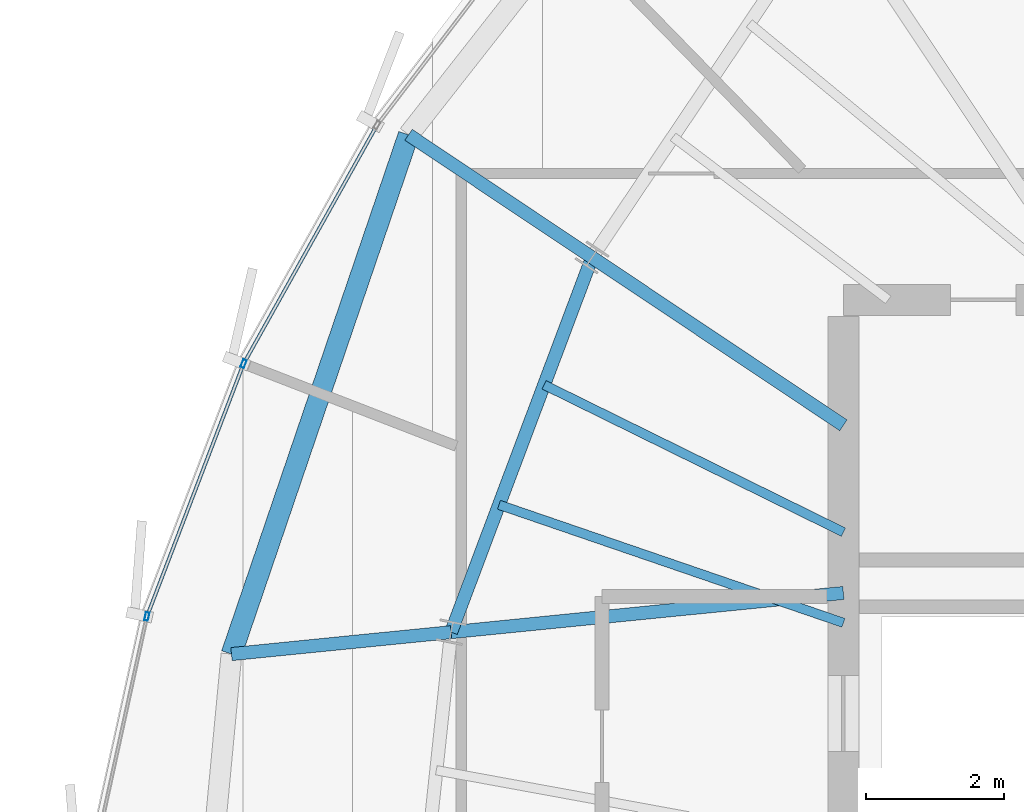
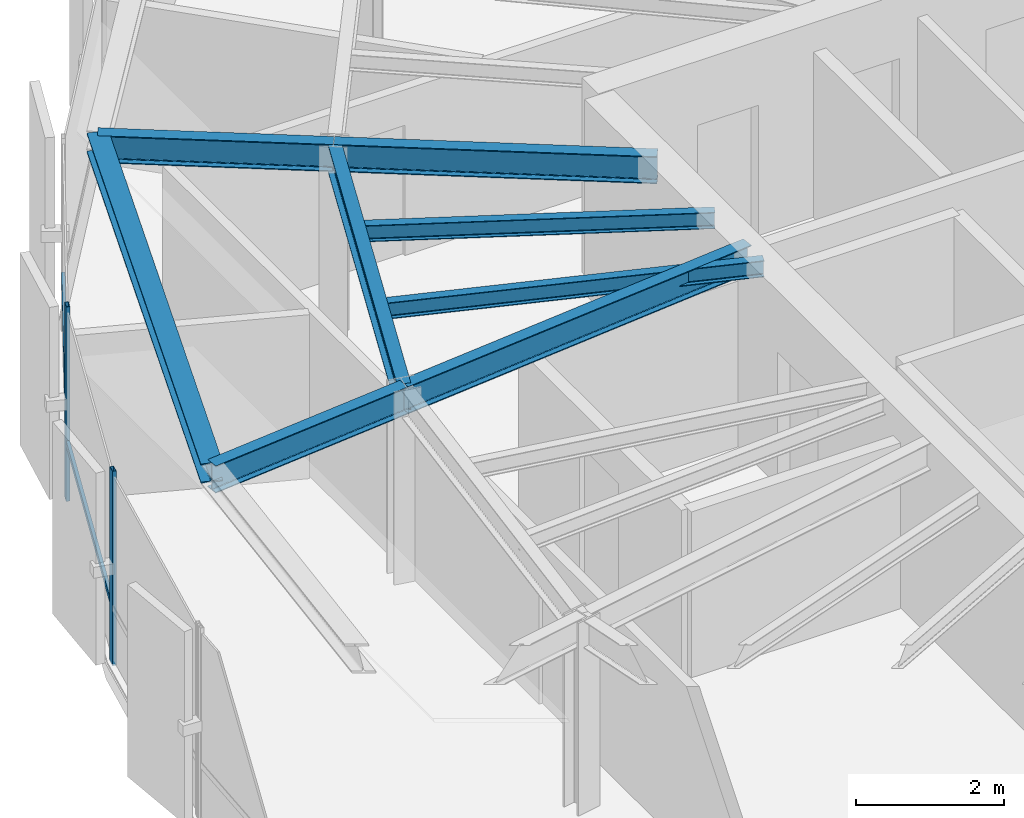
# One storey, part 11 of 34: 8 beams, 4 members, 1 element without a shape of its own.
"""IFC4 building model written with IfcOpenShell, lengths in metres."""

import ifcopenshell
import ifcopenshell.guid

model = None  # the IFC model being written
_history = None  # IfcOwnerHistory: only IFC2X3 demands one
_inside = {}  # id of a spatial element -> (the spatial element, [elements in it])
_under = {}  # id of a project, library or spatial element -> (it, [spatial elements below it])
_declared = {}  # id of a project -> (the project, [libraries it declares])
_typed = {}  # id of a type object -> (the type object, [elements of that type])
_made_of = {}  # id of a material, layer set ... -> (it, [elements and type objects made of it])


def new_model(schema):
    """Start an empty IFC model of exactly this schema.

    Asked for "IFC4X3", IfcOpenShell would pick the latest addendum, in which some entities
    have other attributes; the version numbers below select the first issue.
    IFC2X3 requires an IfcOwnerHistory on every rooted entity: one is made here for all.
    """
    global model, _history
    if schema == "IFC4X3":
        model = ifcopenshell.file(schema_version=(4, 3, 0, 0))
    else:
        model = ifcopenshell.file(schema=schema)
    _inside.clear()
    _under.clear()
    _declared.clear()
    _typed.clear()
    _made_of.clear()
    _history = None
    if model.schema == "IFC2X3":
        org = make("IfcOrganization", Name="unknown")
        user = make(
            "IfcPersonAndOrganization",
            ThePerson=make("IfcPerson", FamilyName="unknown"),
            TheOrganization=org,
        )
        app = make(
            "IfcApplication",
            ApplicationDeveloper=org,
            Version="unknown",
            ApplicationFullName="unknown",
            ApplicationIdentifier="unknown",
        )
        _history = make(
            "IfcOwnerHistory",
            OwningUser=user,
            OwningApplication=app,
            ChangeAction="ADDED",
            CreationDate=0,
        )
    return model


def make(cls, **values):
    """One entity of the class cls with the attributes given. An attribute that is None is left unset."""
    return model.create_entity(
        cls, **{name: value for name, value in values.items() if value is not None}
    )


def rooted(cls, **values):
    """An entity with a GlobalId (a new one), such as an element, a storey or a relation."""
    return make(cls, GlobalId=ifcopenshell.guid.new(), OwnerHistory=_history, **values)


def si_unit(unit_type, name, prefix=None):
    """IfcSIUnit, for example si_unit("LENGTHUNIT", "METRE", prefix="MILLI")."""
    return make("IfcSIUnit", UnitType=unit_type, Prefix=prefix, Name=name)


def assignment(units):
    """IfcUnitAssignment: the units of a project."""
    return None if units is None else make("IfcUnitAssignment", Units=units)


def point(xyz):
    """IfcCartesianPoint."""
    return None if xyz is None else make("IfcCartesianPoint", Coordinates=xyz)


def direction(xyz):
    """IfcDirection."""
    return None if xyz is None else make("IfcDirection", DirectionRatios=xyz)


def frame(location, z_axis=None, x_axis=None):
    """IfcAxis2Placement3D, a coordinate frame: its origin and axes. An axis left out is left unset."""
    return make(
        "IfcAxis2Placement3D",
        Location=point(location),
        Axis=direction(z_axis),
        RefDirection=direction(x_axis),
    )


def frame_2d(location, x_axis=None):
    """IfcAxis2Placement2D, a coordinate frame in the plane: its origin and x axis."""
    return make(
        "IfcAxis2Placement2D", Location=point(location), RefDirection=direction(x_axis)
    )


def origin():
    """The frame at (0, 0, 0) with its axes left unset."""
    return frame((0.0, 0.0, 0.0))


def origin_2d():
    """The frame at (0, 0) in the plane with its x axis left unset."""
    return frame_2d((0.0, 0.0))


def place(relative_to, where):
    """IfcLocalPlacement: puts the frame where relative to a parent placement (None: the world)."""
    return make(
        "IfcLocalPlacement", PlacementRelTo=relative_to, RelativePlacement=where
    )


def context(
    kind, dimensions, precision=None, world=None, true_north=None, identifier=None
):
    """IfcGeometricRepresentationContext, for example the 3D "Model" context."""
    return make(
        "IfcGeometricRepresentationContext",
        ContextIdentifier=identifier,
        ContextType=kind,
        CoordinateSpaceDimension=dimensions,
        Precision=precision,
        WorldCoordinateSystem=world,
        TrueNorth=true_north,
    )


def subcontext(parent, identifier, kind, view, scale=None):
    """IfcGeometricRepresentationSubContext, for example "Body" below "Model"."""
    return make(
        "IfcGeometricRepresentationSubContext",
        ContextIdentifier=identifier,
        ContextType=kind,
        ParentContext=parent,
        TargetScale=scale,
        TargetView=view,
    )


def project(units=None, contexts=None):
    """IfcProject with its units and contexts."""
    return rooted(
        "IfcProject",
        Name="project",
        RepresentationContexts=contexts,
        UnitsInContext=assignment(units),
    )


def spatial(cls, under=None, at=None, **own):
    """A site, building, storey or space (cls), placed at a placement, below another one or the project."""
    s = rooted(cls, ObjectPlacement=at, **own)
    if under is not None:
        _under.setdefault(under.id(), (under, []))[1].append(s)
    return s


def profile(cls, at=None, kind="AREA", **sizes):
    """A parametric profile (cls). Its sizes go by their IFC names, for example OverallWidth=200.0."""
    return make(cls, ProfileType=kind, Position=at, **sizes)


def hollow_rectangle(**sizes):
    """IfcRectangleHollowProfileDef."""
    return profile("IfcRectangleHollowProfileDef", **sizes)


def i_section(**sizes):
    """IfcIShapeProfileDef."""
    return profile("IfcIShapeProfileDef", **sizes)


def extrude(swept, where, along, depth):
    """IfcExtrudedAreaSolid: the profile swept, set in the frame where, extruded along a direction by depth."""
    return make(
        "IfcExtrudedAreaSolid",
        SweptArea=swept,
        Position=where,
        ExtrudedDirection=direction(along),
        Depth=depth,
    )


def shape(context_of_items, identifier, shape_type, items):
    """IfcShapeRepresentation: the items that make up one representation, for example the "Body"."""
    return make(
        "IfcShapeRepresentation",
        ContextOfItems=context_of_items,
        RepresentationIdentifier=identifier,
        RepresentationType=shape_type,
        Items=items,
    )


def source(mapping_origin, context_of_items, identifier, shape_type, items):
    """IfcRepresentationMap: a shape defined once, which mapped items show again and again."""
    return make(
        "IfcRepresentationMap",
        MappingOrigin=mapping_origin,
        MappedRepresentation=shape(context_of_items, identifier, shape_type, items),
    )


def transform(
    local_origin,
    x_axis=None,
    y_axis=None,
    z_axis=None,
    scale=None,
    scale2=None,
    scale3=None,
    uniform=True,
):
    """IfcCartesianTransformationOperator3D, or its non-uniform kind. x_axis, y_axis, z_axis: its Axis1, 2, 3."""
    if uniform:
        return make(
            "IfcCartesianTransformationOperator3D",
            Axis1=direction(x_axis),
            Axis2=direction(y_axis),
            LocalOrigin=point(local_origin),
            Scale=scale,
            Axis3=direction(z_axis),
        )
    return make(
        "IfcCartesianTransformationOperator3DnonUniform",
        Axis1=direction(x_axis),
        Axis2=direction(y_axis),
        LocalOrigin=point(local_origin),
        Scale=scale,
        Axis3=direction(z_axis),
        Scale2=scale2,
        Scale3=scale3,
    )


def mapped(mapping_source, mapping_target):
    """IfcMappedItem: shows the shape of a source again, moved by a transform."""
    return make(
        "IfcMappedItem", MappingSource=mapping_source, MappingTarget=mapping_target
    )


def material(Name=None, Category=None):
    """IfcMaterial."""
    return make("IfcMaterial", Name=Name, Category=Category)


def layer(
    of_material, thickness, ventilated=None, Name=None, Category=None, Priority=None
):
    """IfcMaterialLayer: one layer of a wall or slab, of a material (None: an air gap)."""
    return make(
        "IfcMaterialLayer",
        Material=of_material,
        LayerThickness=thickness,
        IsVentilated=ventilated,
        Name=Name,
        Category=Category,
        Priority=Priority,
    )


def layer_set(layers, Name=None):
    """IfcMaterialLayerSet."""
    return make("IfcMaterialLayerSet", MaterialLayers=layers, LayerSetName=Name)


def material_profile(
    of_material, cross_section, Name=None, Category=None, Priority=None
):
    """IfcMaterialProfile: a cross section and its material."""
    return make(
        "IfcMaterialProfile",
        Name=Name,
        Material=of_material,
        Profile=cross_section,
        Priority=Priority,
        Category=Category,
    )


def profile_set(profiles, Name=None, composite=None):
    """IfcMaterialProfileSet."""
    return make(
        "IfcMaterialProfileSet",
        Name=Name,
        MaterialProfiles=profiles,
        CompositeProfile=composite,
    )


def made_of(thing, what):
    """Note that an element or type object is made of a material, layer set ...; save() writes the relation."""
    if what is not None:
        _made_of.setdefault(what.id(), (what, []))[1].append(thing)
    return thing


def type_object(cls, material=None, **own):
    """A type object (cls), such as IfcWallType, which elements share."""
    return made_of(rooted(cls, **own), material)


def element(
    cls,
    number,
    at=None,
    inside=None,
    cuts=None,
    type_object=None,
    material=None,
    context=None,
    identifier="Body",
    shape_type=None,
    held_by="IfcProductDefinitionShape",
    body=None,
    shapes=None,
    **own,
):
    """One element of the class cls, such as IfcWall. Its Tag is "e" and its number.

    at: its placement. inside: the storey or other place that contains it. cuts: it is an
    opening in that element (IfcRelVoidsElement). A single representation is given by context,
    identifier, shape_type and body (its items); several are given by shapes. held_by: the class
    of the entity that holds the representations. save() writes the other relations.
    """
    e = rooted(cls, Tag="e%d" % number, ObjectPlacement=at, **own)
    if body is not None:
        shapes = [shape(context, identifier, shape_type, body)]
    if shapes is not None:
        e.Representation = make(held_by, Representations=shapes)
    if inside is not None:
        _inside.setdefault(inside.id(), (inside, []))[1].append(e)
    if cuts is not None:
        rooted(
            "IfcRelVoidsElement", RelatingBuildingElement=cuts, RelatedOpeningElement=e
        )
    if type_object is not None:
        _typed.setdefault(type_object.id(), (type_object, []))[1].append(e)
    return made_of(e, material)


def aggregate(whole, parts):
    """IfcRelAggregates: a whole, such as a stair, and the parts it consists of."""
    return rooted("IfcRelAggregates", RelatingObject=whole, RelatedObjects=parts)


def save(model, path):
    """Write the relations noted so far, then the file.

    IfcRelAggregates (storeys below a building ...), IfcRelContainedInSpatialStructure (elements
    in a storey), IfcRelDefinesByType, IfcRelAssociatesMaterial and IfcRelDeclares: one each for
    every whole, place, type object, material and project.
    """
    for whole, parts in _under.values():
        aggregate(whole, parts)
    for where, things in _inside.values():
        rooted(
            "IfcRelContainedInSpatialStructure",
            RelatedElements=things,
            RelatingStructure=where,
        )
    for kind, things in _typed.values():
        rooted("IfcRelDefinesByType", RelatedObjects=things, RelatingType=kind)
    for what, things in _made_of.values():
        rooted("IfcRelAssociatesMaterial", RelatedObjects=things, RelatingMaterial=what)
    for by, libraries in _declared.values():
        rooted("IfcRelDeclares", RelatingContext=by, RelatedDefinitions=libraries)
    model.write(path)


model = new_model("IFC4")

# Units and contexts
model_context = context("Model", 3, precision=1e-05, world=origin(), true_north=direction((0.0, 1.0)))
body_context = subcontext(model_context, "Body", "Model", "MODEL_VIEW")
ifc_project = project(units=[si_unit("LENGTHUNIT", "METRE"), si_unit("AREAUNIT", "SQUARE_METRE"), si_unit("VOLUMEUNIT", "CUBIC_METRE"), si_unit("PLANEANGLEUNIT", "RADIAN"), si_unit("MASSUNIT", "GRAM", prefix="KILO"), si_unit("THERMODYNAMICTEMPERATUREUNIT", "KELVIN")], contexts=[model_context])

# Site, building, storey
site_placement = place(None, origin())
site = spatial("IfcSite", under=ifc_project, at=site_placement, CompositionType="ELEMENT")
building_placement = place(site_placement, origin())
building = spatial("IfcBuilding", under=site, at=building_placement, Name="Kethvar Cultural Tower", CompositionType="ELEMENT")
storey_placement = place(building_placement, frame((0.0, 0.0, 262.89990234375)))
storey = spatial("IfcBuildingStorey", under=building, at=storey_placement, Name="L69", CompositionType="ELEMENT", Elevation=262.89990234375)

# Beams
ifc_material_1 = material(Name="Steel S355J2", Category="steel")
ifc_material_profile_1 = material_profile(ifc_material_1, i_section(OverallWidth=0.18994140625, OverallDepth=0.449951171875, WebThickness=0.009521484375, FlangeThickness=0.0146484375, FilletRadius=0.02099609375, at=origin_2d()), Name="Steel S355J2 — IPE450")
ifc_profile_set_1 = profile_set([ifc_material_profile_1], Name="Steel S355J2 — IPE450")
beam_type_1 = type_object("IfcBeamType", Name="BM-IPE450", PredefinedType="BEAM", material=ifc_profile_set_1)
shared_shape_1 = source(origin(), body_context, "Body", "SweptSolid", [
    extrude(i_section(OverallWidth=0.18994140625, OverallDepth=0.449951171875, WebThickness=0.009521484375, FlangeThickness=0.0146484375, FilletRadius=0.02099609375, at=origin_2d()), origin(), (0.0, 0.0, 1.0), 3.2001953125),
])
beam_1_placement = place(storey_placement, frame((32.3125, 30.681884765625, 2.983154296875), z_axis=(-0.995047004836, -0.099405523829, 0.0), x_axis=(0.099405523829, -0.995047004836, 0.0)))
element("IfcBeam", 1, at=beam_1_placement, inside=storey, type_object=beam_type_1, Name="L69 Perimeter Cantilever Beam RC-08", PredefinedType="BEAM", context=body_context, shape_type="MappedRepresentation", body=[
    mapped(shared_shape_1, transform((0.0, 0.0, 0.0), scale=1.0)),
])
shared_shape_2 = source(origin(), body_context, "Body", "SweptSolid", [
    extrude(i_section(OverallWidth=0.18994140625, OverallDepth=0.449951171875, WebThickness=0.009521484375, FlangeThickness=0.0146484375, FilletRadius=0.02099609375, at=origin_2d()), origin(), (0.0, 0.0, 1.0), 4.3828125),
])
beam_2_placement = place(storey_placement, frame((38.0, 33.679931640625, 2.983154296875), z_axis=(-0.831449909861, 0.555599718676, 0.0), x_axis=(-0.555599718676, -0.831449909861, 0.0)))
element("IfcBeam", 2, at=beam_2_placement, inside=storey, type_object=beam_type_1, Name="L69 Primary Radial Beam RB-07", PredefinedType="BEAM", context=body_context, shape_type="MappedRepresentation", body=[
    mapped(shared_shape_2, transform((0.0, 0.0, 0.0), scale=1.0)),
])
shared_shape_3 = source(origin(), body_context, "Body", "SweptSolid", [
    extrude(i_section(OverallWidth=0.18994140625, OverallDepth=0.449951171875, WebThickness=0.009521484375, FlangeThickness=0.0146484375, FilletRadius=0.02099609375, at=origin_2d()), origin(), (0.0, 0.0, 1.0), 3.19970703125),
])
beam_3_placement = place(storey_placement, frame((34.35595703125, 36.114990234375, 2.983154296875), z_axis=(-0.831498187863, 0.55552746429, 0.0), x_axis=(-0.55552746429, -0.831498187863, 0.0)))
element("IfcBeam", 3, at=beam_3_placement, inside=storey, type_object=beam_type_1, Name="L69 Perimeter Cantilever Beam RC-07", PredefinedType="BEAM", context=body_context, shape_type="MappedRepresentation", body=[
    mapped(shared_shape_3, transform((0.0, 0.0, 0.0), scale=1.0)),
])
shared_shape_4 = source(origin(), body_context, "Body", "SweptSolid", [
    extrude(i_section(OverallWidth=0.18994140625, OverallDepth=0.449951171875, WebThickness=0.009521484375, FlangeThickness=0.0146484375, FilletRadius=0.02099609375, at=origin_2d()), origin(), (0.0, 0.0, 1.0), 5.7158203125),
])
beam_4_placement = place(storey_placement, frame((38.0, 31.25, 2.983154296875), z_axis=(-0.995048179628, -0.099393763478, 0.0), x_axis=(0.099393763478, -0.995048179628, 0.0)))
element("IfcBeam", 4, at=beam_4_placement, inside=storey, type_object=beam_type_1, Name="L69 Primary Radial Beam RB-08", PredefinedType="BEAM", context=body_context, shape_type="MappedRepresentation", body=[
    mapped(shared_shape_4, transform((0.0, 0.0, 0.0), scale=1.0)),
])
shared_shape_5 = source(origin(), body_context, "Body", "SweptSolid", [
    extrude(i_section(OverallWidth=0.18994140625, OverallDepth=0.449951171875, WebThickness=0.009521484375, FlangeThickness=0.0146484375, FilletRadius=0.02099609375, at=origin_2d()), origin(), (0.0, 0.0, 1.0), 5.8046875),
])
beam_5_placement = place(storey_placement, frame((34.35595703125, 36.114990234375, 2.983154296875), z_axis=(-0.352035902861, -0.935986497283, 0.0), x_axis=(0.935986497283, -0.352035902861, 0.0)))
element("IfcBeam", 5, at=beam_5_placement, inside=storey, type_object=beam_type_1, Name="L69 Column Ring Tie Beam CR-07", PredefinedType="BEAM", context=body_context, shape_type="MappedRepresentation", body=[
    mapped(shared_shape_5, transform((0.0, 0.0, 0.0), scale=1.0)),
])
ifc_material_profile_2 = material_profile(ifc_material_1, i_section(OverallWidth=0.300048828125, OverallDepth=0.320068359375, WebThickness=0.011474609375, FlangeThickness=0.0205078125, FilletRadius=0.027099609375, at=origin_2d()), Name="Steel S355J2 — HEB320")
ifc_profile_set_2 = profile_set([ifc_material_profile_2], Name="Steel S355J2 — HEB320")
beam_type_2 = type_object("IfcBeamType", Name="BM-SP320", PredefinedType="SPANDREL", material=ifc_profile_set_2)
shared_shape_6 = source(origin(), body_context, "Body", "SweptSolid", [
    extrude(i_section(OverallWidth=0.300048828125, OverallDepth=0.320068359375, WebThickness=0.011474609375, FlangeThickness=0.0205078125, FilletRadius=0.027099609375, at=origin_2d()), origin(), (0.0, 0.0, 1.0), 7.954345703125),
])
beam_6_placement = place(storey_placement, frame((31.6953125, 37.892578125, 3.048095703125), z_axis=(-0.322730170507, -0.946491012659, 0.0), x_axis=(0.946491012659, -0.322730170507, 0.0)))
element("IfcBeam", 6, at=beam_6_placement, inside=storey, type_object=beam_type_2, Name="L69 Perimeter Spandrel Beam SP-07", PredefinedType="SPANDREL", context=body_context, shape_type="MappedRepresentation", body=[
    mapped(shared_shape_6, transform((0.0, 0.0, 0.0), scale=1.0)),
])
ifc_material_profile_3 = material_profile(ifc_material_1, i_section(OverallWidth=0.135009765625, OverallDepth=0.27001953125, WebThickness=0.006591796875, FlangeThickness=0.01025390625, FilletRadius=0.014892578125, at=origin_2d()), Name="Steel S355J2 — IPE270")
ifc_profile_set_3 = profile_set([ifc_material_profile_3], Name="Steel S355J2 — IPE270")
beam_type_3 = type_object("IfcBeamType", Name="BM-J270", PredefinedType="JOIST", material=ifc_profile_set_3)
shared_shape_7 = source(origin(), body_context, "Body", "SweptSolid", [
    extrude(i_section(OverallWidth=0.135009765625, OverallDepth=0.27001953125, WebThickness=0.006591796875, FlangeThickness=0.01025390625, FilletRadius=0.014892578125, at=origin_2d()), origin(), (0.0, 0.0, 1.0), 4.8359375),
])
beam_7_placement = place(storey_placement, frame((38.0, 32.1318359375, 3.072998046875), z_axis=(-0.897196527088, 0.441631511308, 0.0), x_axis=(-0.441631511308, -0.897196527088, 0.0)))
element("IfcBeam", 7, at=beam_7_placement, inside=storey, type_object=beam_type_3, Name="L69 Composite Floor Joist J-07A", PredefinedType="JOIST", context=body_context, shape_type="MappedRepresentation", body=[
    mapped(shared_shape_7, transform((0.0, 0.0, 0.0), scale=1.0)),
])
shared_shape_8 = source(origin(), body_context, "Body", "SweptSolid", [
    extrude(i_section(OverallWidth=0.135009765625, OverallDepth=0.27001953125, WebThickness=0.006591796875, FlangeThickness=0.01025390625, FilletRadius=0.014892578125, at=origin_2d()), origin(), (0.0, 0.0, 1.0), 5.2783203125),
])
beam_8_placement = place(storey_placement, frame((38.0, 30.817138671875, 3.072998046875), z_axis=(-0.945942702368, 0.324333784607, 0.0), x_axis=(-0.324333784607, -0.945942702368, 0.0)))
element("IfcBeam", 8, at=beam_8_placement, inside=storey, type_object=beam_type_3, Name="L69 Composite Floor Joist J-07B", PredefinedType="JOIST", context=body_context, shape_type="MappedRepresentation", body=[
    mapped(shared_shape_8, transform((0.0, 0.0, 0.0), scale=1.0)),
])

# Curtain wall, members
ifc_material_2 = material(Name="Aluminium 6063-T6", Category="aluminium")
ifc_layer = layer(ifc_material_2, 0.179931640625, Name="Aluminium 6063-T6", Category="aluminium")
ifc_layer_set = layer_set([ifc_layer], Name="Aluminium 6063-T6 (180 mm)")
curtain_wall_type = type_object("IfcCurtainWallType", Name="CW-SYS-05-Z56", PredefinedType="NOTDEFINED", material=ifc_layer_set)
curtain_wall_placement = place(storey_placement, origin())
curtain_wall = element("IfcCurtainWall", 9, at=curtain_wall_placement, inside=storey, type_object=curtain_wall_type, Name="L69 Curtain Wall Run 02", PredefinedType="NOTDEFINED")
ifc_material_profile_4 = material_profile(ifc_material_2, hollow_rectangle(XDim=0.054931640625, YDim=0.1201171875, WallThickness=0.00390625, at=origin_2d()), Name="Aluminium 6063-T6 — RHS120x55x4")
ifc_profile_set_4 = profile_set([ifc_material_profile_4], Name="Aluminium 6063-T6 — RHS120x55x4")
member_type_1 = type_object("IfcMemberType", Name="CW-SYS-05-Z56-MUL", PredefinedType="MULLION", material=ifc_profile_set_4)
shared_shape_9 = source(origin(), body_context, "Body", "SweptSolid", [
    extrude(hollow_rectangle(XDim=0.054931640625, YDim=0.1201171875, WallThickness=0.00390625, at=origin_2d()), origin(), (0.0, 0.0, 1.0), 3.210205078125),
])
member_1_placement = place(storey_placement, frame((29.303466796875, 34.5732421875, 0.0), z_axis=(0.0, 0.0, 1.0), x_axis=(0.9341297388, -0.356933650822, 0.0)))
member_1 = element("IfcMember", 10, at=member_1_placement, type_object=member_type_1, Name="CW-L69-R02 Mullion 5", PredefinedType="MULLION", context=body_context, shape_type="MappedRepresentation", body=[
    mapped(shared_shape_9, transform((0.0, 0.0, 0.0), scale=1.0)),
])
member_2_placement = place(storey_placement, frame((27.90234375, 30.909423828125, 0.0), z_axis=(0.0, 0.0, 1.0), x_axis=(0.9767471756, -0.214394391152, 0.0)))
member_2 = element("IfcMember", 11, at=member_2_placement, type_object=member_type_1, Name="CW-L69-R02 Mullion 6", PredefinedType="MULLION", context=body_context, shape_type="MappedRepresentation", body=[
    mapped(shared_shape_9, transform((0.0, 0.0, 0.0), scale=1.0)),
])
ifc_material_profile_5 = material_profile(ifc_material_2, hollow_rectangle(XDim=0.050048828125, YDim=0.10009765625, WallThickness=0.00390625, at=origin_2d()), Name="Aluminium 6063-T6 — RHS100x50x4")
ifc_profile_set_5 = profile_set([ifc_material_profile_5], Name="Aluminium 6063-T6 — RHS100x50x4")
member_type_2 = type_object("IfcMemberType", Name="CW-SYS-05-Z56-TRN", PredefinedType="USERDEFINED", material=ifc_profile_set_5)
shared_shape_10 = source(origin(), body_context, "Body", "SweptSolid", [
    extrude(hollow_rectangle(XDim=0.050048828125, YDim=0.10009765625, WallThickness=0.00390625, at=origin_2d()), origin(), (0.0, 0.0, 1.0), 3.8974609375),
])
member_3_placement = place(storey_placement, frame((31.218017578125, 37.996826171875, 0.9501953125), z_axis=(-0.487859264755, -0.872922297683, 0.0), x_axis=(0.872922297683, -0.487859264755, 0.0)))
member_3 = element("IfcMember", 12, at=member_3_placement, type_object=member_type_2, Name="CW-L69-R02 Transom 4", ObjectType="TRANSOM", PredefinedType="USERDEFINED", context=body_context, shape_type="MappedRepresentation", body=[
    mapped(shared_shape_10, transform((0.0, 0.0, 0.0), scale=1.0)),
])
shared_shape_11 = source(origin(), body_context, "Body", "SweptSolid", [
    extrude(hollow_rectangle(XDim=0.050048828125, YDim=0.10009765625, WallThickness=0.00390625, at=origin_2d()), origin(), (0.0, 0.0, 1.0), 3.858154296875),
])
member_4_placement = place(storey_placement, frame((29.289306640625, 34.5361328125, 0.9501953125), z_axis=(-0.356955598671, -0.934121352169, 0.0), x_axis=(0.934121352169, -0.356955598671, 0.0)))
member_4 = element("IfcMember", 13, at=member_4_placement, type_object=member_type_2, Name="CW-L69-R02 Transom 5", ObjectType="TRANSOM", PredefinedType="USERDEFINED", context=body_context, shape_type="MappedRepresentation", body=[
    mapped(shared_shape_11, transform((0.0, 0.0, 0.0), scale=1.0)),
])
aggregate(curtain_wall, [member_1, member_2, member_3, member_4])

save(model, "model.ifc")
